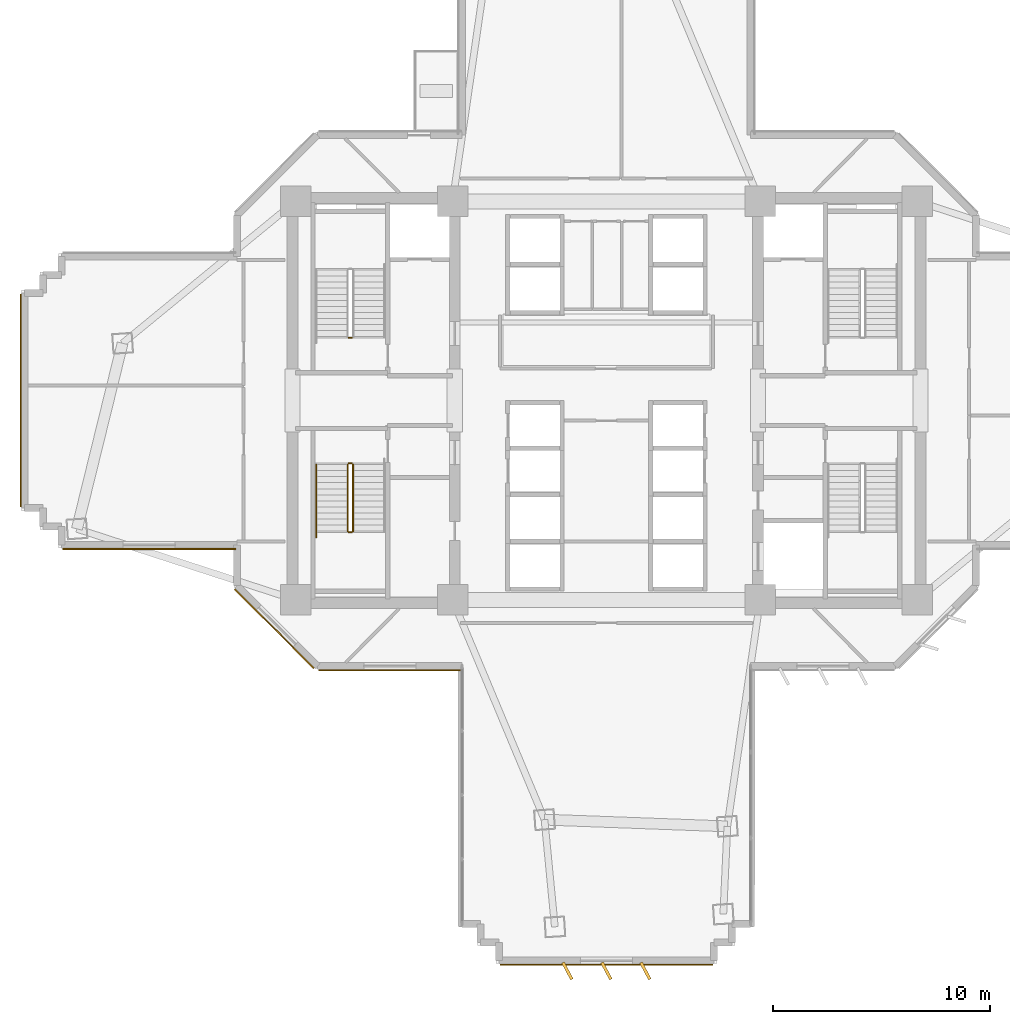
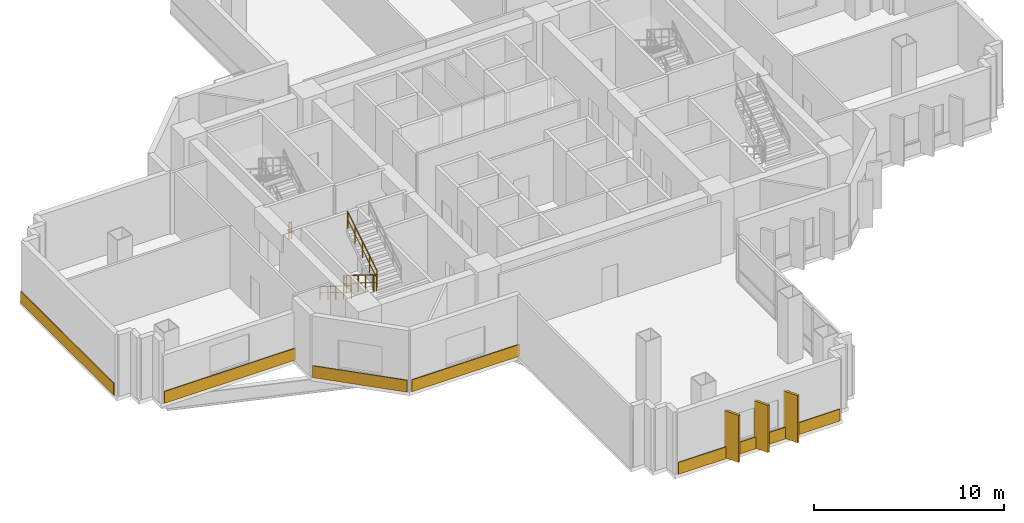
# One storey, part 10 of 14: 6 railings, 5 coverings, 3 shading devices.
"""IFC4 building model written with IfcOpenShell, lengths in metres."""

from ifc_helpers import new_model, si_unit, direction, frame, origin, origin_2d, place, context, subcontext, project, spatial, rectangle, extrude, source, transform, mapped, material, layer, layer_set, type_object, element, save


model = new_model("IFC4")

# Units and contexts
model_context = context("Model", 3, precision=1e-05, world=origin(), true_north=direction((0.0, 1.0)))
body_context = subcontext(model_context, "Body", "Model", "MODEL_VIEW")
ifc_project = project(units=[si_unit("LENGTHUNIT", "METRE"), si_unit("AREAUNIT", "SQUARE_METRE"), si_unit("VOLUMEUNIT", "CUBIC_METRE"), si_unit("PLANEANGLEUNIT", "RADIAN"), si_unit("MASSUNIT", "GRAM", prefix="KILO")], contexts=[model_context])

# Site, building, storey
site_placement = place(None, origin())
site = spatial("IfcSite", under=ifc_project, at=site_placement, CompositionType="ELEMENT")
building_placement = place(site_placement, origin())
building = spatial("IfcBuilding", under=site, at=building_placement, Name="Zahravan Cultural Tower", CompositionType="ELEMENT")
storey_placement = place(building_placement, frame((0.0, 0.0, 37.5)))
storey = spatial("IfcBuildingStorey", under=building, at=storey_placement, Name="L07", CompositionType="ELEMENT", Elevation=37.5)

# Railings
ifc_material_1 = material(Name="Steel ASTM A572 Grade 50", Category="steel")
railing_type_1 = type_object("IfcRailingType", Name="RL-STAIR-GRD1150", PredefinedType="BALUSTRADE", material=ifc_material_1)
railing_1_placement = place(storey_placement, frame((24.25, 29.89990234375, 0.0)))
element("IfcRailing", 1, at=railing_1_placement, inside=storey, type_object=railing_type_1, Name="L07 ST-W1 stair guard 4", PredefinedType="BALUSTRADE", context=body_context, shape_type="SweptSolid", body=[
    extrude(rectangle(XDim=0.05, YDim=0.05, at=origin_2d()), frame((0.0, 0.0, 1.0751953125), z_axis=(-1.0, 0.0, 0.0), x_axis=(0.0, -1.0, 0.0)), (0.0, 0.0, 1.0), 0.14990234375),
    extrude(rectangle(XDim=0.032, YDim=0.032, at=origin_2d()), frame((0.0, 0.0, 0.572021484375), z_axis=(-1.0, 0.0, 0.0), x_axis=(0.0, -1.0, 0.0)), (0.0, 0.0, 1.0), 0.14990234375),
    extrude(rectangle(XDim=0.04, YDim=0.04, at=origin_2d()), origin(), (0.0, 0.0, 1.0), 1.10009765625),
    extrude(rectangle(XDim=0.04, YDim=0.04, at=origin_2d()), frame((-0.14990234375, 0.0, 0.0)), (0.0, 0.0, 1.0), 1.10009765625),
])
railing_2_placement = place(storey_placement, frame((24.050048828125, 24.050048828125, 0.175048828125)))
element("IfcRailing", 2, at=railing_2_placement, inside=storey, type_object=railing_type_1, Name="L07 ST-W2 stair guard 1", PredefinedType="BALUSTRADE", context=body_context, shape_type="SweptSolid", body=[
    extrude(rectangle(XDim=0.05, YDim=0.05, at=origin_2d()), frame((0.0, 0.0, 1.0751953125), z_axis=(0.0, -0.847998304005, 0.529998940003), x_axis=(1.0, 0.0, 0.0)), (0.0, 0.0, 1.0), 3.632080078125),
    extrude(rectangle(XDim=0.032, YDim=0.032, at=origin_2d()), frame((0.0, 0.0, 0.572021484375), z_axis=(0.0, -0.847998304005, 0.529998940003), x_axis=(1.0, 0.0, 0.0)), (0.0, 0.0, 1.0), 3.632080078125),
    extrude(rectangle(XDim=0.04, YDim=0.04, at=origin_2d()), origin(), (0.0, 0.0, 1.0), 1.10009765625),
    extrude(rectangle(XDim=0.04, YDim=0.04, at=origin_2d()), frame((0.0, -0.77001953125, 0.481201171875)), (0.0, 0.0, 1.0), 1.10009765625),
    extrude(rectangle(XDim=0.04, YDim=0.04, at=origin_2d()), frame((0.0, -1.5400390625, 0.96240234375)), (0.0, 0.0, 1.0), 1.10009765625),
    extrude(rectangle(XDim=0.04, YDim=0.04, at=origin_2d()), frame((0.0, -2.31005859375, 1.44384765625)), (0.0, 0.0, 1.0), 1.10009765625),
    extrude(rectangle(XDim=0.04, YDim=0.04, at=origin_2d()), frame((0.0, -3.080078125, 1.925048828125)), (0.0, 0.0, 1.0), 1.10009765625),
])
railing_3_placement = place(storey_placement, frame((24.10009765625, 20.919921875, 2.10009765625)))
element("IfcRailing", 3, at=railing_3_placement, inside=storey, type_object=railing_type_1, Name="L07 ST-W2 stair guard 2", PredefinedType="BALUSTRADE", context=body_context, shape_type="SweptSolid", body=[
    extrude(rectangle(XDim=0.05, YDim=0.05, at=origin_2d()), frame((0.0, 0.0, 1.0751953125), z_axis=(1.0, 0.0, 0.0), x_axis=(0.0, 1.0, 0.0)), (0.0, 0.0, 1.0), 0.14990234375),
    extrude(rectangle(XDim=0.032, YDim=0.032, at=origin_2d()), frame((0.0, 0.0, 0.572021484375), z_axis=(1.0, 0.0, 0.0), x_axis=(0.0, 1.0, 0.0)), (0.0, 0.0, 1.0), 0.14990234375),
    extrude(rectangle(XDim=0.04, YDim=0.04, at=origin_2d()), origin(), (0.0, 0.0, 1.0), 1.10009765625),
    extrude(rectangle(XDim=0.04, YDim=0.04, at=origin_2d()), frame((0.14990234375, 0.0, 0.0)), (0.0, 0.0, 1.0), 1.10009765625),
])
railing_4_placement = place(storey_placement, frame((24.300048828125, 20.969970703125, 2.27490234375)))
element("IfcRailing", 4, at=railing_4_placement, inside=storey, type_object=railing_type_1, Name="L07 ST-W2 stair guard 3", PredefinedType="BALUSTRADE", context=body_context, shape_type="SweptSolid", body=[
    extrude(rectangle(XDim=0.05, YDim=0.05, at=origin_2d()), frame((0.0, 0.0, 1.0751953125), z_axis=(0.0, 0.847998304005, 0.529998940003), x_axis=(-1.0, 0.0, 0.0)), (0.0, 0.0, 1.0), 3.632080078125),
    extrude(rectangle(XDim=0.032, YDim=0.032, at=origin_2d()), frame((0.0, 0.0, 0.572021484375), z_axis=(0.0, 0.847998304005, 0.529998940003), x_axis=(-1.0, 0.0, 0.0)), (0.0, 0.0, 1.0), 3.632080078125),
    extrude(rectangle(XDim=0.04, YDim=0.04, at=origin_2d()), origin(), (0.0, 0.0, 1.0), 1.10009765625),
    extrude(rectangle(XDim=0.04, YDim=0.04, at=origin_2d()), frame((0.0, 0.77001953125, 0.481201171875)), (0.0, 0.0, 1.0), 1.10009765625),
    extrude(rectangle(XDim=0.04, YDim=0.04, at=origin_2d()), frame((0.0, 1.5400390625, 0.96240234375)), (0.0, 0.0, 1.0), 1.10009765625),
    extrude(rectangle(XDim=0.04, YDim=0.04, at=origin_2d()), frame((0.0, 2.31005859375, 1.44384765625)), (0.0, 0.0, 1.0), 1.10009765625),
    extrude(rectangle(XDim=0.04, YDim=0.04, at=origin_2d()), frame((0.0, 3.080078125, 1.925048828125)), (0.0, 0.0, 1.0), 1.10009765625),
])
railing_5_placement = place(storey_placement, frame((24.10009765625, 24.10009765625, 0.0)))
element("IfcRailing", 5, at=railing_5_placement, inside=storey, type_object=railing_type_1, Name="L07 ST-W2 stair guard 4", PredefinedType="BALUSTRADE", context=body_context, shape_type="SweptSolid", body=[
    extrude(rectangle(XDim=0.05, YDim=0.05, at=origin_2d()), frame((0.0, 0.0, 1.0751953125), z_axis=(1.0, 0.0, 0.0), x_axis=(0.0, 1.0, 0.0)), (0.0, 0.0, 1.0), 0.14990234375),
    extrude(rectangle(XDim=0.032, YDim=0.032, at=origin_2d()), frame((0.0, 0.0, 0.572021484375), z_axis=(1.0, 0.0, 0.0), x_axis=(0.0, 1.0, 0.0)), (0.0, 0.0, 1.0), 0.14990234375),
    extrude(rectangle(XDim=0.04, YDim=0.04, at=origin_2d()), origin(), (0.0, 0.0, 1.0), 1.10009765625),
    extrude(rectangle(XDim=0.04, YDim=0.04, at=origin_2d()), frame((0.14990234375, 0.0, 0.0)), (0.0, 0.0, 1.0), 1.10009765625),
])
railing_type_2 = type_object("IfcRailingType", Name="RL-STAIR-HR900", PredefinedType="HANDRAIL", material=ifc_material_1)
railing_6_placement = place(storey_placement, frame((22.60009765625, 24.050048828125, 0.175048828125)))
element("IfcRailing", 6, at=railing_6_placement, inside=storey, type_object=railing_type_2, Name="L07 ST-W2 stair handrail 1", PredefinedType="HANDRAIL", context=body_context, shape_type="SweptSolid", body=[
    extrude(rectangle(XDim=0.05, YDim=0.05, at=origin_2d()), frame((0.0, 0.0, 0.875), z_axis=(0.0, -0.848022534174, 0.529960169762), x_axis=(1.0, 0.0, 0.0)), (0.0, 0.0, 1.0), 3.96240234375),
    extrude(rectangle(XDim=0.032, YDim=0.032, at=origin_2d()), frame((0.0, 0.0, 0.468017578125), z_axis=(0.0, -0.848022534174, 0.529960169762), x_axis=(1.0, 0.0, 0.0)), (0.0, 0.0, 1.0), 3.96240234375),
    extrude(rectangle(XDim=0.04, YDim=0.04, at=origin_2d()), origin(), (0.0, 0.0, 1.0), 0.89990234375),
    extrude(rectangle(XDim=0.04, YDim=0.04, at=origin_2d()), frame((0.0, -0.840087890625, 0.52490234375)), (0.0, 0.0, 1.0), 0.89990234375),
    extrude(rectangle(XDim=0.04, YDim=0.04, at=origin_2d()), frame((0.0, -1.68017578125, 1.0498046875)), (0.0, 0.0, 1.0), 0.89990234375),
    extrude(rectangle(XDim=0.04, YDim=0.04, at=origin_2d()), frame((0.0, -2.52001953125, 1.574951171875)), (0.0, 0.0, 1.0), 0.89990234375),
    extrude(rectangle(XDim=0.04, YDim=0.04, at=origin_2d()), frame((0.0, -3.360107421875, 2.099853515625)), (0.0, 0.0, 1.0), 0.89990234375),
])

# Covering
ifc_material_2 = material(Name="Terracotta ceramic cladding", Category="masonry")
ifc_layer = layer(ifc_material_2, 0.06005859375)
ifc_layer_set = layer_set([ifc_layer], Name="Terracotta ceramic cladding")
covering_type = type_object("IfcCoveringType", Name="COV-CLAD-TC60", PredefinedType="CLADDING", material=ifc_layer_set)
shared_shape_1 = source(origin(), body_context, "Body", "SweptSolid", [
    extrude(rectangle(XDim=8.0, YDim=0.06005859375, at=origin_2d()), origin(), (0.0, 0.0, 1.0), 0.760009765625),
])
covering_1_placement = place(storey_placement, frame((14.889892578125, 20.155029296875, 0.02001953125), z_axis=(0.0, 0.0, 1.0), x_axis=(-1.0, 0.0, 0.0)))
element("IfcCovering", 7, at=covering_1_placement, inside=storey, type_object=covering_type, Name="L07 Terracotta Spandrel Cladding 27", PredefinedType="CLADDING", context=body_context, shape_type="MappedRepresentation", body=[
    mapped(shared_shape_1, transform((0.0, 0.0, 0.0), x_axis=(1.0, 0.0, 0.0), y_axis=(0.0, 1.0, 0.0), z_axis=(0.0, 0.0, 1.0), scale=1.0)),
])

# Shading devices
ifc_material_3 = material(Name="Architectural terracotta fin", Category="masonry")
shading_device_type = type_object("IfcShadingDeviceType", Name="SHD-FIN-880", PredefinedType="USERDEFINED", material=ifc_material_3)
shared_shape_2 = source(origin(), body_context, "Body", "SweptSolid", [
    extrude(rectangle(XDim=0.8798828125, YDim=0.139892578125, at=origin_2d()), origin(), (0.0, 0.0, 1.0), 3.030029296875),
])
for number, where, z_axis, x_axis, name in (
    (8, (37.800048828125, 0.669921875, 0.0498046875), (0.0, 0.0, 1.0), (0.469471562786, -0.882947592859, 0.0), "L07 Herringbone Terracotta Fin 15"),
    (9, (36.0, 0.669921875, 0.0498046875), (0.0, 0.0, 1.0), (0.469471562786, -0.882947592859, 0.0), "L07 Herringbone Terracotta Fin 16"),
    (10, (34.199951171875, 0.669921875, 0.0498046875), (0.0, 0.0, 1.0), (0.469471562786, -0.882947592859, 0.0), "L07 Herringbone Terracotta Fin 17"),
):
    element("IfcShadingDevice", number, at=place(storey_placement, frame(where, z_axis=z_axis, x_axis=x_axis)), inside=storey, type_object=shading_device_type, Name=name, ObjectType="FIN", PredefinedType="USERDEFINED", context=body_context, shape_type="MappedRepresentation", body=[
        mapped(shared_shape_2, transform((0.0, 0.0, 0.0), x_axis=(1.0, 0.0, 0.0), y_axis=(0.0, 1.0, 0.0), z_axis=(0.0, 0.0, 1.0), scale=1.0)),
    ])

# Coverings
shared_shape_3 = source(origin(), body_context, "Body", "SweptSolid", [
    extrude(rectangle(XDim=9.820068359375, YDim=0.06005859375, at=origin_2d()), origin(), (0.0, 0.0, 1.0), 0.760009765625),
])
for number, where, z_axis, x_axis, name in (
    (11, (36.0, 0.955078125, 0.02001953125), (0.0, 0.0, 1.0), (-1.0, 0.0, 0.0), "L07 Terracotta Spandrel Cladding 19"),
    (12, (8.955078125, 27.0, 0.02001953125), (0.0, 0.0, 1.0), (0.0, 1.0, 0.0), "L07 Terracotta Spandrel Cladding 32"),
):
    element("IfcCovering", number, at=place(storey_placement, frame(where, z_axis=z_axis, x_axis=x_axis)), inside=storey, type_object=covering_type, Name=name, PredefinedType="CLADDING", context=body_context, shape_type="MappedRepresentation", body=[
        mapped(shared_shape_3, transform((0.0, 0.0, 0.0), x_axis=(1.0, 0.0, 0.0), y_axis=(0.0, 1.0, 0.0), z_axis=(0.0, 0.0, 1.0), scale=1.0)),
    ])
shared_shape_4 = source(origin(), body_context, "Body", "SweptSolid", [
    extrude(rectangle(XDim=5.157958984375, YDim=0.06005859375, at=origin_2d()), origin(), (0.0, 0.0, 1.0), 0.760009765625),
])
covering_2_placement = place(storey_placement, frame((20.668212890625, 16.46826171875, 0.02001953125), z_axis=(0.0, 0.0, 1.0), x_axis=(-0.707106781187, 0.707106781187, 0.0)))
element("IfcCovering", 13, at=covering_2_placement, inside=storey, type_object=covering_type, Name="L07 Terracotta Spandrel Cladding 25", PredefinedType="CLADDING", context=body_context, shape_type="MappedRepresentation", body=[
    mapped(shared_shape_4, transform((0.0, 0.0, 0.0), x_axis=(1.0, 0.0, 0.0), y_axis=(0.0, 1.0, 0.0), z_axis=(0.0, 0.0, 1.0), scale=1.0)),
])
shared_shape_5 = source(origin(), body_context, "Body", "SweptSolid", [
    extrude(rectangle(XDim=6.58203125, YDim=0.06005859375, at=origin_2d()), origin(), (0.0, 0.0, 1.0), 0.760009765625),
])
covering_3_placement = place(storey_placement, frame((25.9990234375, 14.554931640625, 0.02001953125), z_axis=(0.0, 0.0, 1.0), x_axis=(-1.0, 0.0, 0.0)))
element("IfcCovering", 14, at=covering_3_placement, inside=storey, type_object=covering_type, Name="L07 Terracotta Spandrel Cladding 24", PredefinedType="CLADDING", context=body_context, shape_type="MappedRepresentation", body=[
    mapped(shared_shape_5, transform((0.0, 0.0, 0.0), x_axis=(1.0, 0.0, 0.0), y_axis=(0.0, 1.0, 0.0), z_axis=(0.0, 0.0, 1.0), scale=1.0)),
])

save(model, "model.ifc")
